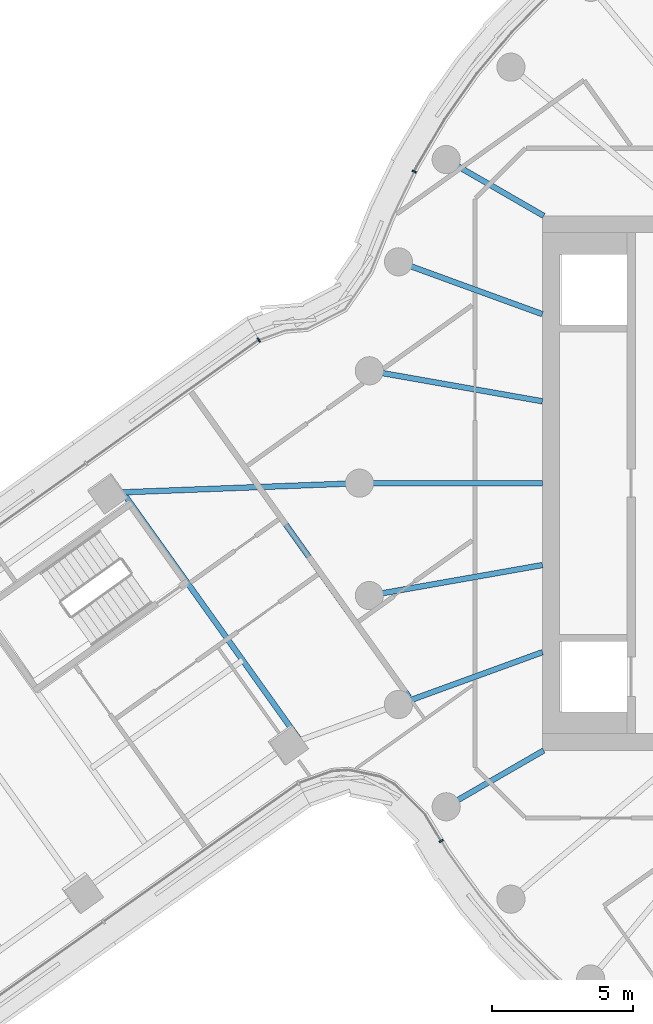
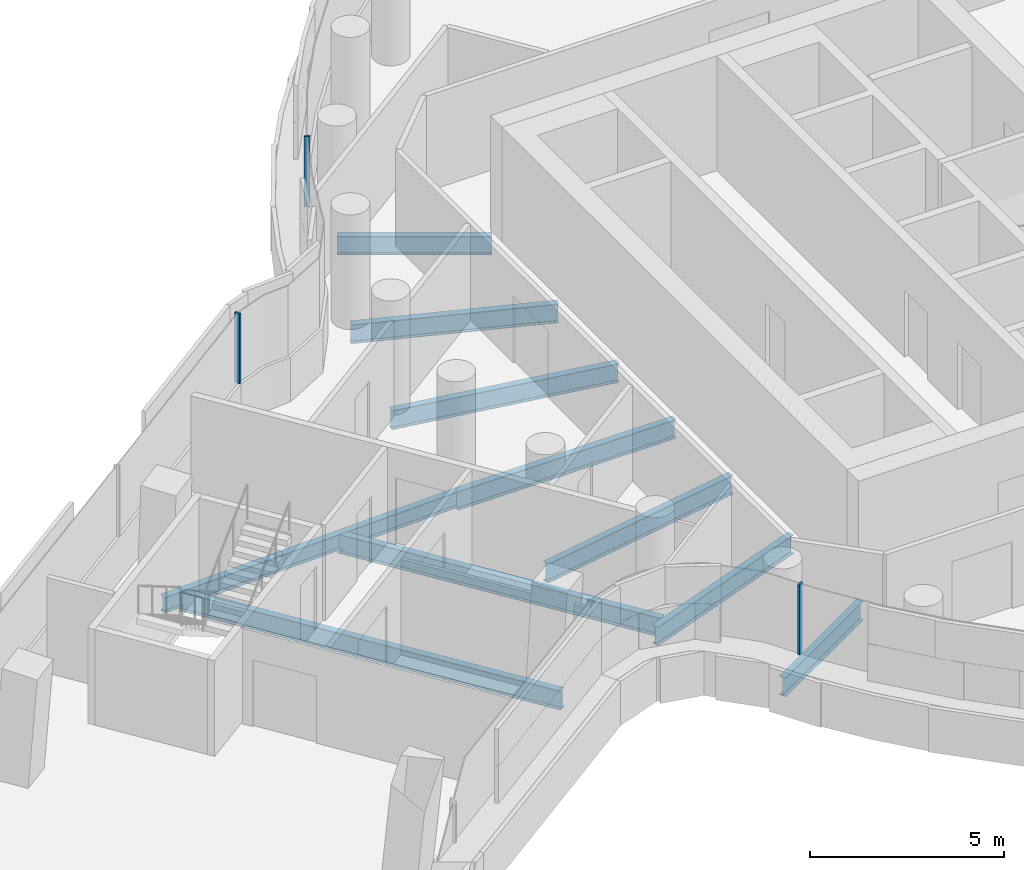
# One storey, part 8 of 31: 10 beams, 3 members, 3 elements without a shape of their own.
"""IFC4 building model written with IfcOpenShell, lengths in metres."""

from ifc_helpers import new_model, si_unit, direction, frame, origin, origin_2d, place, context, subcontext, project, spatial, rectangle, i_section, extrude, material, layer, layer_set, material_profile, profile_set, type_object, element, aggregate, save


model = new_model("IFC4")

# Units and contexts
model_context = context("Model", 3, precision=1e-05, world=origin(), true_north=direction((0.0, 1.0)))
body_context = subcontext(model_context, "Body", "Model", "MODEL_VIEW")
ifc_project = project(units=[si_unit("LENGTHUNIT", "METRE"), si_unit("AREAUNIT", "SQUARE_METRE"), si_unit("VOLUMEUNIT", "CUBIC_METRE"), si_unit("PLANEANGLEUNIT", "RADIAN"), si_unit("MASSUNIT", "GRAM", prefix="KILO")], contexts=[model_context])

# Site, building, storey
site_placement = place(None, origin())
site = spatial("IfcSite", under=ifc_project, at=site_placement, CompositionType="ELEMENT")
building_placement = place(site_placement, origin())
building = spatial("IfcBuilding", under=site, at=building_placement, Name="Tamarind Cross Interchange Tower", CompositionType="ELEMENT")
storey_placement = place(building_placement, frame((0.0, 0.0, 163.0)))
storey = spatial("IfcBuildingStorey", under=building, at=storey_placement, Name="L40", CompositionType="ELEMENT", Elevation=163.0)

# Beams
ifc_material_1 = material(Name="Steel Q355B", Category="steel")
ifc_material_profile_1 = material_profile(ifc_material_1, i_section(OverallWidth=0.198974609375, OverallDepth=0.49609375, WebThickness=0.009033203125, FlangeThickness=0.013916015625, FilletRadius=0.012939453125, at=origin_2d()), Name="HN 496x199x9x14")
ifc_profile_set_1 = profile_set([ifc_material_profile_1], Name="Steel Q355B")
beam_type_1 = type_object("IfcBeamType", Name="Composite beam HN 496x199x9x14 Q355B", PredefinedType="BEAM", material=ifc_profile_set_1)
beam_1_placement = place(storey_placement, frame((-31.950927734375, -0.34619140625, -0.387939453125), z_axis=(0.999252898578, 0.038647699593, 0.0), x_axis=(-0.038647699593, 0.999252898578, 0.0)))
element("IfcBeam", 1, at=beam_1_placement, inside=storey, type_object=beam_type_1, Name="Beam W-linkem", PredefinedType="BEAM", context=body_context, shape_type="SweptSolid", body=[
    extrude(i_section(OverallWidth=0.198974609375, OverallDepth=0.49609375, WebThickness=0.009033203125, FlangeThickness=0.013916015625, FilletRadius=0.012939453125, at=origin_2d()), origin(), (0.0, 0.0, 1.0), 8.95751953125),
])
ifc_material_profile_2 = material_profile(ifc_material_1, i_section(OverallWidth=0.198974609375, OverallDepth=0.595947265625, WebThickness=0.010009765625, FlangeThickness=0.014892578125, FilletRadius=0.012939453125, at=origin_2d()), Name="HN 596x199x10x15")
ifc_profile_set_2 = profile_set([ifc_material_profile_2], Name="Steel Q355B")
beam_type_2 = type_object("IfcBeamType", Name="Composite beam HN 596x199x10x15 Q355B", PredefinedType="BEAM", material=ifc_profile_set_2)
beam_2_placement = place(storey_placement, frame((-19.918701171875, 11.5, -0.43798828125), z_axis=(0.866026010844, -0.49999894854, 0.0), x_axis=(0.49999894854, 0.866026010844, 0.0)))
element("IfcBeam", 2, at=beam_2_placement, inside=storey, type_object=beam_type_2, Name="Beam HH15", PredefinedType="BEAM", context=body_context, shape_type="SweptSolid", body=[
    extrude(i_section(OverallWidth=0.198974609375, OverallDepth=0.595947265625, WebThickness=0.010009765625, FlangeThickness=0.014892578125, FilletRadius=0.012939453125, at=origin_2d()), origin(), (0.0, 0.0, 1.0), 4.0),
])
beam_3_placement = place(storey_placement, frame((-21.613037109375, 7.866455078125, -0.43798828125), z_axis=(0.939701685589, -0.341995236956, 0.0), x_axis=(0.341995236956, 0.939701685589, 0.0)))
element("IfcBeam", 3, at=beam_3_placement, inside=storey, type_object=beam_type_2, Name="Beam HH16", PredefinedType="BEAM", context=body_context, shape_type="SweptSolid", body=[
    extrude(i_section(OverallWidth=0.198974609375, OverallDepth=0.595947265625, WebThickness=0.010009765625, FlangeThickness=0.014892578125, FilletRadius=0.012939453125, at=origin_2d()), origin(), (0.0, 0.0, 1.0), 5.441162109375),
])
beam_4_placement = place(storey_placement, frame((-22.650634765625, 3.993896484375, -0.43798828125), z_axis=(0.984809127561, -0.173640382036, 0.0), x_axis=(0.173640382036, 0.984809127561, 0.0)))
element("IfcBeam", 4, at=beam_4_placement, inside=storey, type_object=beam_type_2, Name="Beam HH17", PredefinedType="BEAM", context=body_context, shape_type="SweptSolid", body=[
    extrude(i_section(OverallWidth=0.198974609375, OverallDepth=0.595947265625, WebThickness=0.010009765625, FlangeThickness=0.014892578125, FilletRadius=0.012939453125, at=origin_2d()), origin(), (0.0, 0.0, 1.0), 6.24560546875),
])
beam_5_placement = place(storey_placement, frame((-23.0, 0.0, -0.43798828125), z_axis=(1.0, 0.0, 0.0), x_axis=(0.0, 1.0, 0.0)))
element("IfcBeam", 5, at=beam_5_placement, inside=storey, type_object=beam_type_2, Name="Beam HH18", PredefinedType="BEAM", context=body_context, shape_type="SweptSolid", body=[
    extrude(i_section(OverallWidth=0.198974609375, OverallDepth=0.595947265625, WebThickness=0.010009765625, FlangeThickness=0.014892578125, FilletRadius=0.012939453125, at=origin_2d()), origin(), (0.0, 0.0, 1.0), 6.5),
])
beam_6_placement = place(storey_placement, frame((-22.650634765625, -3.993896484375, -0.43798828125), z_axis=(0.984809127561, 0.173640382036, 0.0), x_axis=(-0.173640382036, 0.984809127561, 0.0)))
element("IfcBeam", 6, at=beam_6_placement, inside=storey, type_object=beam_type_2, Name="Beam HH19", PredefinedType="BEAM", context=body_context, shape_type="SweptSolid", body=[
    extrude(i_section(OverallWidth=0.198974609375, OverallDepth=0.595947265625, WebThickness=0.010009765625, FlangeThickness=0.014892578125, FilletRadius=0.012939453125, at=origin_2d()), origin(), (0.0, 0.0, 1.0), 6.24560546875),
])
beam_7_placement = place(storey_placement, frame((-21.613037109375, -7.866455078125, -0.43798828125), z_axis=(0.939701685589, 0.341995236956, 0.0), x_axis=(-0.341995236956, 0.939701685589, 0.0)))
element("IfcBeam", 7, at=beam_7_placement, inside=storey, type_object=beam_type_2, Name="Beam HH20", PredefinedType="BEAM", context=body_context, shape_type="SweptSolid", body=[
    extrude(i_section(OverallWidth=0.198974609375, OverallDepth=0.595947265625, WebThickness=0.010009765625, FlangeThickness=0.014892578125, FilletRadius=0.012939453125, at=origin_2d()), origin(), (0.0, 0.0, 1.0), 5.441162109375),
])
beam_8_placement = place(storey_placement, frame((-19.918701171875, -11.5, -0.43798828125), z_axis=(0.866026010844, 0.49999894854, 0.0), x_axis=(-0.49999894854, 0.866026010844, 0.0)))
element("IfcBeam", 8, at=beam_8_placement, inside=storey, type_object=beam_type_2, Name="Beam HH21", PredefinedType="BEAM", context=body_context, shape_type="SweptSolid", body=[
    extrude(i_section(OverallWidth=0.198974609375, OverallDepth=0.595947265625, WebThickness=0.010009765625, FlangeThickness=0.014892578125, FilletRadius=0.012939453125, at=origin_2d()), origin(), (0.0, 0.0, 1.0), 4.0),
])
ifc_material_profile_3 = material_profile(ifc_material_1, i_section(OverallWidth=0.199951171875, OverallDepth=0.60009765625, WebThickness=0.010986328125, FlangeThickness=0.01708984375, FilletRadius=0.012939453125, at=origin_2d()), Name="HN 600x200x11x17")
ifc_profile_set_3 = profile_set([ifc_material_profile_3], Name="Steel Q355B")
beam_type_3 = type_object("IfcBeamType", Name="Composite beam HN 600x200x11x17 Q355B", PredefinedType="BEAM", material=ifc_profile_set_3)
beam_9_placement = place(storey_placement, frame((-31.412841796875, -0.325439453125, -0.43994140625), z_axis=(0.58103132482, -0.813881195002, 0.0), x_axis=(0.813881195002, 0.58103132482, 0.0)))
element("IfcBeam", 9, at=beam_9_placement, inside=storey, type_object=beam_type_3, Name="Beam W-x298", PredefinedType="BEAM", context=body_context, shape_type="SweptSolid", body=[
    extrude(i_section(OverallWidth=0.199951171875, OverallDepth=0.60009765625, WebThickness=0.010986328125, FlangeThickness=0.01708984375, FilletRadius=0.012939453125, at=origin_2d()), origin(), (0.0, 0.0, 1.0), 10.829833984375),
])
beam_10_placement = place(storey_placement, frame((-26.5703125, -0.13818359375, -0.43994140625), z_axis=(0.581019073038, -0.813889941433, 0.0), x_axis=(0.813889941433, 0.581019073038, 0.0)))
element("IfcBeam", 10, at=beam_10_placement, inside=storey, type_object=beam_type_3, Name="Beam W-x258", PredefinedType="BEAM", context=body_context, shape_type="SweptSolid", body=[
    extrude(i_section(OverallWidth=0.199951171875, OverallDepth=0.60009765625, WebThickness=0.010986328125, FlangeThickness=0.01708984375, FilletRadius=0.012939453125, at=origin_2d()), origin(), (0.0, 0.0, 1.0), 9.17041015625),
])

# Curtain wall, member
ifc_material_2 = material(Name="Aluminium 6063-T6", Category="aluminium")
ifc_layer = layer(ifc_material_2, 0.159912109375)
ifc_layer_set = layer_set([ifc_layer], Name="Aluminium 6063-T6")
curtain_wall_type = type_object("IfcCurtainWallType", Name="Office curtain wall, 9.0 m bays", PredefinedType="NOTDEFINED", material=ifc_layer_set)
curtain_wall_1_placement = place(storey_placement, origin())
curtain_wall_1 = element("IfcCurtainWall", 11, at=curtain_wall_1_placement, inside=storey, type_object=curtain_wall_type, Name="CWS-L40-10", PredefinedType="NOTDEFINED")
ifc_material_profile_4 = material_profile(ifc_material_2, rectangle(XDim=0.06005859375, YDim=0.159912109375, at=origin_2d()), Name="Mullion CW1")
ifc_profile_set_4 = profile_set([ifc_material_profile_4], Name="Aluminium 6063-T6")
member_type = type_object("IfcMemberType", Name="Mullion CW1", PredefinedType="MULLION", material=ifc_profile_set_4)
member_1_placement = place(storey_placement, frame((-21.053955078125, 11.07470703125, 1.39990234375), z_axis=(0.0, 0.0, 1.0), x_axis=(-0.435326231914, -0.900272776334, 0.0)))
member_1 = element("IfcMember", 12, at=member_1_placement, type_object=member_type, Name="CWM-L40-10-02", PredefinedType="MULLION", context=body_context, shape_type="SweptSolid", body=[
    extrude(rectangle(XDim=0.06005859375, YDim=0.159912109375, at=origin_2d()), origin(), (0.0, 0.0, 1.0), 2.210205078125),
])
aggregate(curtain_wall_1, [member_1])

curtain_wall_2_placement = place(storey_placement, origin())
curtain_wall_2 = element("IfcCurtainWall", 13, at=curtain_wall_2_placement, inside=storey, type_object=curtain_wall_type, Name="CWS-L40-11", PredefinedType="NOTDEFINED")
member_2_placement = place(storey_placement, frame((-26.5791015625, 5.086181640625, 1.39990234375), z_axis=(0.0, 0.0, 1.0), x_axis=(-0.885172224899, -0.46526350842, 0.0)))
member_2 = element("IfcMember", 14, at=member_2_placement, type_object=member_type, Name="CWM-L40-11-00", PredefinedType="MULLION", context=body_context, shape_type="SweptSolid", body=[
    extrude(rectangle(XDim=0.06005859375, YDim=0.159912109375, at=origin_2d()), origin(), (0.0, 0.0, 1.0), 2.210205078125),
])
aggregate(curtain_wall_2, [member_2])

curtain_wall_3_placement = place(storey_placement, origin())
curtain_wall_3 = element("IfcCurtainWall", 15, at=curtain_wall_3_placement, inside=storey, type_object=curtain_wall_type, Name="CWS-L40-14", PredefinedType="NOTDEFINED")
member_3_placement = place(storey_placement, frame((-20.09765625, -12.71484375, 1.39990234375), z_axis=(0.0, 0.0, 1.0), x_axis=(0.516716751122, -0.856156410424, 0.0)))
member_3 = element("IfcMember", 16, at=member_3_placement, type_object=member_type, Name="CWM-L40-14-01", PredefinedType="MULLION", context=body_context, shape_type="SweptSolid", body=[
    extrude(rectangle(XDim=0.06005859375, YDim=0.159912109375, at=origin_2d()), origin(), (0.0, 0.0, 1.0), 2.210205078125),
])
aggregate(curtain_wall_3, [member_3])

save(model, "model.ifc")
